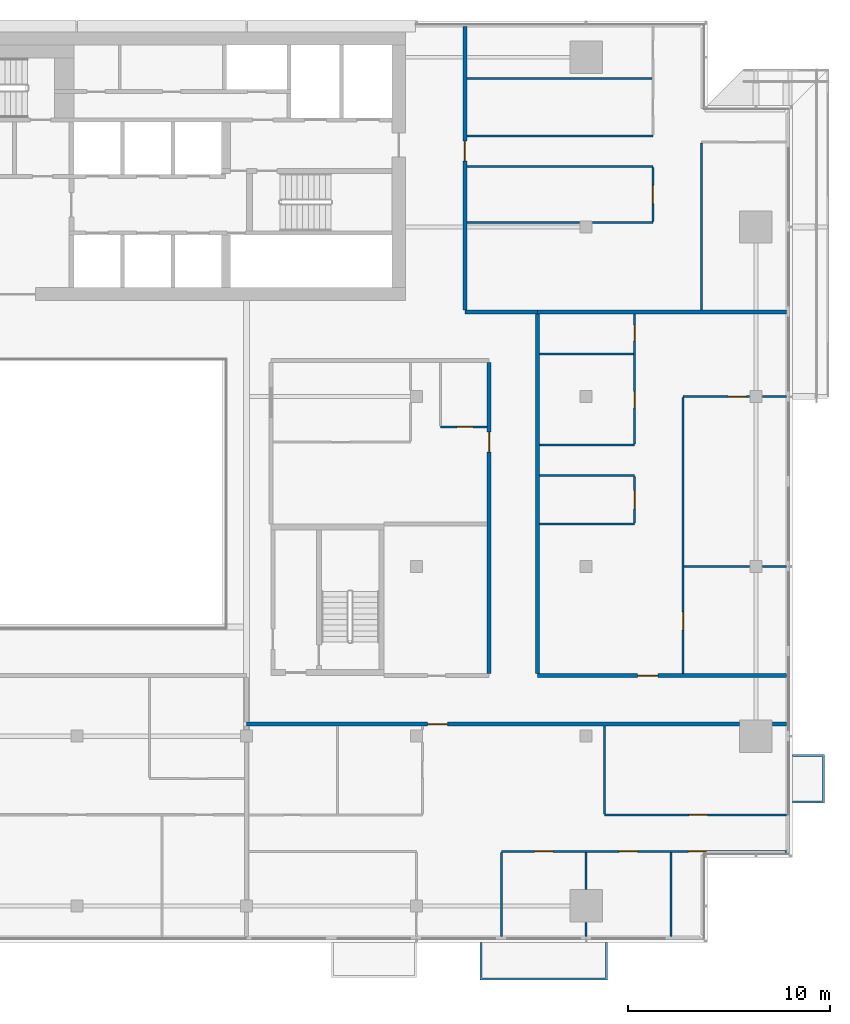
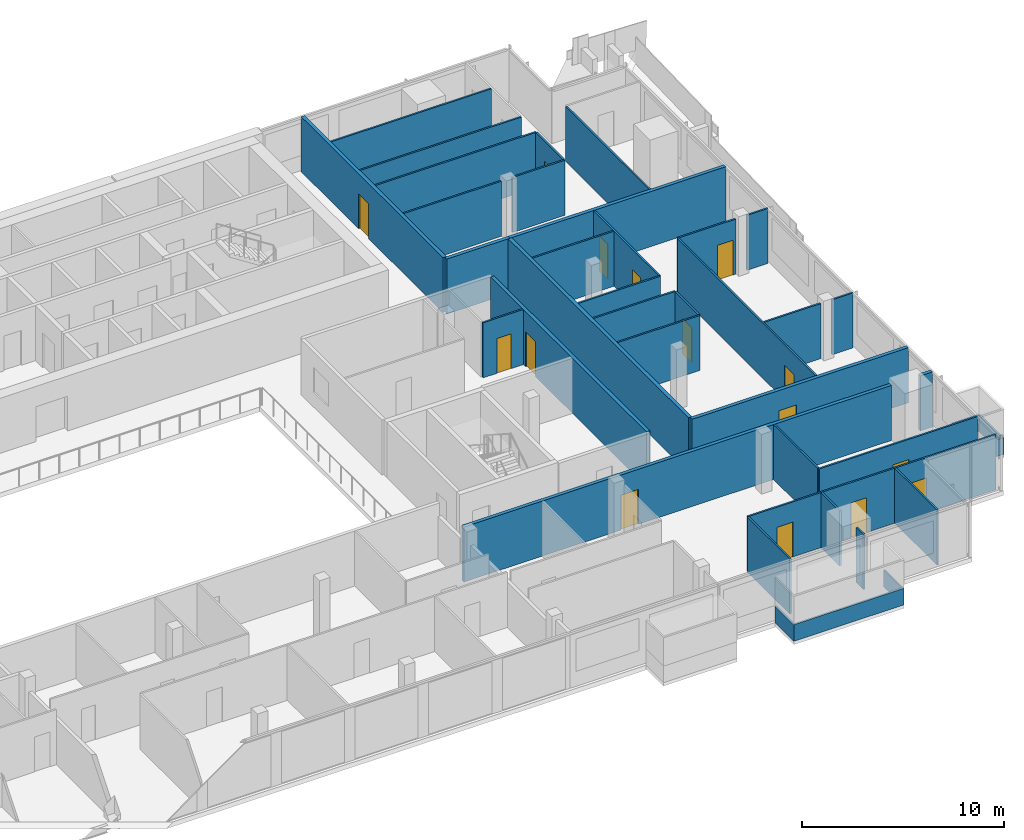
# One storey, part 24 of 30: 36 walls, 15 doors, 15 openings.
"""IFC4 building model written with IfcOpenShell, lengths in metres."""

from ifc_helpers import new_model, si_unit, direction, frame, frame_2d, origin, place, context, subcontext, project, spatial, polyline, rectangle, outline, extrude, material, layer, layer_set, type_object, element, fill, save


model = new_model("IFC4")

# Units and contexts
model_context = context("Model", 3, precision=1e-05, world=origin(), true_north=direction((0.0, 1.0)))
body_context = subcontext(model_context, "Body", "Model", "MODEL_VIEW")
ifc_project = project(units=[si_unit("LENGTHUNIT", "METRE"), si_unit("AREAUNIT", "SQUARE_METRE"), si_unit("VOLUMEUNIT", "CUBIC_METRE"), si_unit("PLANEANGLEUNIT", "RADIAN"), si_unit("MASSUNIT", "GRAM", prefix="KILO")], contexts=[model_context])

# Site, building, storey
site_placement = place(None, origin())
site = spatial("IfcSite", under=ifc_project, at=site_placement, CompositionType="ELEMENT")
building_placement = place(site_placement, origin())
building = spatial("IfcBuilding", under=site, at=building_placement, Name="Saffron Gate Tower", CompositionType="ELEMENT")
storey_placement = place(building_placement, frame((0.0, 0.0, 223.5)))
storey = spatial("IfcBuildingStorey", under=building, at=storey_placement, Name="L54", CompositionType="ELEMENT", Elevation=223.5)

# Wall, openings, doors
ifc_material_1 = material(Name="Plasterboard on steel studs", Category="steel")
ifc_layer_1 = layer(ifc_material_1, 0.10009765625)
ifc_layer_set_1 = layer_set([ifc_layer_1], Name="PW1 Partition 100")
wall_type_1 = type_object("IfcWallType", Name="PW1 Partition 100", PredefinedType="PARTITIONING", material=ifc_layer_set_1)
wall_1_placement = place(storey_placement, frame((126.919921875, 34.5, 0.0), z_axis=(0.0, 0.0, 1.0), x_axis=(-1.0, 0.0, 0.0)))
wall_1 = element("IfcWall", 1, at=wall_1_placement, inside=storey, type_object=wall_type_1, Name="Partition D2-2", PredefinedType="PARTITIONING", context=body_context, shape_type="SweptSolid", body=[
    extrude(rectangle(XDim=14.119873046875, YDim=0.10009765625, at=frame_2d((7.06005859375, 0.0))), origin(), (0.0, 0.0, 1.0), 3.320068359375),
])
opening_1_placement = place(wall_1_placement, frame((3.96630859375, 0.0, 0.0)))
opening_1 = element("IfcOpeningElement", 2, at=opening_1_placement, cuts=wall_1, Name="Opening D2-23", PredefinedType="OPENING", context=body_context, shape_type="SweptSolid", body=[
    extrude(rectangle(XDim=0.89990234375, YDim=2.10009765625, at=frame_2d((0.449951171875, 1.050048828125))), frame((0.0, 0.06005859375, 0.0), z_axis=(0.0, -1.0, 0.0), x_axis=(1.0, 0.0, 0.0)), (0.0, 0.0, 1.0), 0.1201171875),
])
opening_2_placement = place(wall_1_placement, frame((7.3701171875, 0.0, 0.0)))
opening_2 = element("IfcOpeningElement", 3, at=opening_2_placement, cuts=wall_1, Name="Opening D2-22", PredefinedType="OPENING", context=body_context, shape_type="SweptSolid", body=[
    extrude(rectangle(XDim=0.89990234375, YDim=2.10009765625, at=frame_2d((0.449951171875, 1.050048828125))), frame((0.0, 0.06005859375, 0.0), z_axis=(0.0, -1.0, 0.0), x_axis=(1.0, 0.0, 0.0)), (0.0, 0.0, 1.0), 0.1201171875),
])
opening_3_placement = place(wall_1_placement, frame((11.570068359375, 0.0, 0.0)))
opening_3 = element("IfcOpeningElement", 4, at=opening_3_placement, cuts=wall_1, Name="Opening D2-21", PredefinedType="OPENING", context=body_context, shape_type="SweptSolid", body=[
    extrude(rectangle(XDim=0.89990234375, YDim=2.10009765625, at=frame_2d((0.449951171875, 1.050048828125))), frame((0.0, 0.06005859375, 0.0), z_axis=(0.0, -1.0, 0.0), x_axis=(1.0, 0.0, 0.0)), (0.0, 0.0, 1.0), 0.1201171875),
])
ifc_material_2 = material(Name="Timber door set", Category="wood")
door_type_1 = type_object("IfcDoorType", Name="RD1 Room door 900x2100", OperationType="NOTDEFINED", PredefinedType="DOOR", material=ifc_material_2)
door_1_placement = place(opening_1_placement, origin())
door_1 = element("IfcDoor", 5, at=door_1_placement, inside=storey, type_object=door_type_1, Name="Door D2-23", OperationType="SINGLE_SWING_RIGHT", OverallHeight=2.10009765625, OverallWidth=0.89990234375, PredefinedType="DOOR", context=body_context, shape_type="SweptSolid", body=[
    extrude(rectangle(XDim=0.89990234375, YDim=2.10009765625, at=frame_2d((0.449951171875, 1.050048828125))), frame((0.0, 0.02490234375, 0.0), z_axis=(0.0, -1.0, 0.0), x_axis=(1.0, 0.0, 0.0)), (0.0, 0.0, 1.0), 0.050048828125),
])
fill(opening_1, door_1)
door_2_placement = place(opening_2_placement, origin())
door_2 = element("IfcDoor", 6, at=door_2_placement, inside=storey, type_object=door_type_1, Name="Door D2-22", OperationType="SINGLE_SWING_RIGHT", OverallHeight=2.10009765625, OverallWidth=0.89990234375, PredefinedType="DOOR", context=body_context, shape_type="SweptSolid", body=[
    extrude(rectangle(XDim=0.89990234375, YDim=2.10009765625, at=frame_2d((0.449951171875, 1.050048828125))), frame((0.0, 0.02490234375, 0.0), z_axis=(0.0, -1.0, 0.0), x_axis=(1.0, 0.0, 0.0)), (0.0, 0.0, 1.0), 0.050048828125),
])
fill(opening_2, door_2)
door_3_placement = place(opening_3_placement, origin())
door_3 = element("IfcDoor", 7, at=door_3_placement, inside=storey, type_object=door_type_1, Name="Door D2-21", OperationType="SINGLE_SWING_LEFT", OverallHeight=2.10009765625, OverallWidth=0.89990234375, PredefinedType="DOOR", context=body_context, shape_type="SweptSolid", body=[
    extrude(rectangle(XDim=0.89990234375, YDim=2.10009765625, at=frame_2d((0.449951171875, 1.050048828125))), frame((0.0, 0.02490234375, 0.0), z_axis=(0.0, -1.0, 0.0), x_axis=(1.0, 0.0, 0.0)), (0.0, 0.0, 1.0), 0.050048828125),
])
fill(opening_3, door_3)

# Wall, opening, door
wall_2_placement = place(storey_placement, frame((117.89990234375, 36.300048828125, 0.0), z_axis=(0.0, 0.0, 1.0), x_axis=(1.0, 0.0, 0.0)))
wall_2 = element("IfcWall", 8, at=wall_2_placement, inside=storey, type_object=wall_type_1, Name="Partition D2-4", PredefinedType="PARTITIONING", context=body_context, shape_type="SweptSolid", body=[
    extrude(rectangle(XDim=9.02001953125, YDim=0.10009765625, at=frame_2d((4.510009765625, 0.0))), origin(), (0.0, 0.0, 1.0), 3.320068359375),
])
opening_4_placement = place(wall_2_placement, frame((4.199951171875, 0.0, 0.0)))
opening_4 = element("IfcOpeningElement", 9, at=opening_4_placement, cuts=wall_2, Name="Opening D2-24", PredefinedType="OPENING", context=body_context, shape_type="SweptSolid", body=[
    extrude(rectangle(XDim=0.89990234375, YDim=2.10009765625, at=frame_2d((0.449951171875, 1.050048828125))), frame((0.0, 0.06005859375, 0.0), z_axis=(0.0, -1.0, 0.0), x_axis=(1.0, 0.0, 0.0)), (0.0, 0.0, 1.0), 0.1201171875),
])
door_4_placement = place(opening_4_placement, origin())
door_4 = element("IfcDoor", 10, at=door_4_placement, inside=storey, type_object=door_type_1, Name="Door D2-24", OperationType="SINGLE_SWING_RIGHT", OverallHeight=2.10009765625, OverallWidth=0.89990234375, PredefinedType="DOOR", context=body_context, shape_type="SweptSolid", body=[
    extrude(rectangle(XDim=0.89990234375, YDim=2.10009765625, at=frame_2d((0.449951171875, 1.050048828125))), frame((0.0, 0.02490234375, 0.0), z_axis=(0.0, -1.0, 0.0), x_axis=(1.0, 0.0, 0.0)), (0.0, 0.0, 1.0), 0.050048828125),
])
fill(opening_4, door_4)

# Walls
wall_3_placement = place(storey_placement, frame((121.85009765625, 48.60009765625, 0.0), z_axis=(0.0, 0.0, 1.0), x_axis=(1.0, 0.0, 0.0)))
element("IfcWall", 11, at=wall_3_placement, inside=storey, type_object=wall_type_1, Name="Partition D2-21", PredefinedType="PARTITIONING", context=body_context, shape_type="SweptSolid", body=[
    extrude(rectangle(XDim=3.22998046875, YDim=0.10009765625, at=frame_2d((1.614990234375, 0.0))), origin(), (0.0, 0.0, 1.0), 3.320068359375),
])
wall_4_placement = place(storey_placement, frame((125.719970703125, 48.60009765625, 0.0), z_axis=(0.0, 0.0, 1.0), x_axis=(1.0, 0.0, 0.0)))
element("IfcWall", 12, at=wall_4_placement, inside=storey, type_object=wall_type_1, Name="Partition D2-22", PredefinedType="PARTITIONING", context=body_context, shape_type="SweptSolid", body=[
    extrude(rectangle(XDim=1.199951171875, YDim=0.10009765625, at=frame_2d((0.60009765625, 0.0))), origin(), (0.0, 0.0, 1.0), 3.320068359375),
])
for number, where, z_axis, x_axis, name in (
    (13, (114.699951171875, 50.699951171875, 0.0), (0.0, 0.0, 1.0), (1.0, 0.0, 0.0), "Partition D2-26"),
    (14, (114.699951171875, 53.10009765625, 0.0), (0.0, 0.0, 1.0), (1.0, 0.0, 0.0), "Partition D2-28"),
    (15, (114.699951171875, 54.60009765625, 0.0), (0.0, 0.0, 1.0), (1.0, 0.0, 0.0), "Partition D2-29"),
):
    element("IfcWall", number, at=place(storey_placement, frame(where, z_axis=z_axis, x_axis=x_axis)), inside=storey, type_object=wall_type_1, Name=name, PredefinedType="PARTITIONING", context=body_context, shape_type="SweptSolid", body=[
        extrude(rectangle(XDim=4.699951171875, YDim=0.10009765625, at=frame_2d((2.35009765625, 0.0))), origin(), (0.0, 0.0, 1.0), 3.320068359375),
    ])

# Wall, opening, door
wall_5_placement = place(storey_placement, frame((109.800048828125, 55.5, 0.0), z_axis=(0.0, 0.0, 1.0), x_axis=(1.0, 0.0, 0.0)))
wall_5 = element("IfcWall", 16, at=wall_5_placement, inside=storey, type_object=wall_type_1, Name="Partition D2-33", PredefinedType="PARTITIONING", context=body_context, shape_type="SweptSolid", body=[
    extrude(rectangle(XDim=2.300048828125, YDim=0.10009765625, at=frame_2d((1.14990234375, 0.0))), origin(), (0.0, 0.0, 1.0), 3.320068359375),
])
opening_5_placement = place(wall_5_placement, frame((0.800048828125, 0.0, 0.0)))
opening_5 = element("IfcOpeningElement", 17, at=opening_5_placement, cuts=wall_5, Name="Opening D2-53", PredefinedType="OPENING", context=body_context, shape_type="SweptSolid", body=[
    extrude(rectangle(XDim=0.800048828125, YDim=2.10009765625, at=frame_2d((0.39990234375, 1.050048828125))), frame((0.0, 0.06005859375, 0.0), z_axis=(0.0, -1.0, 0.0), x_axis=(1.0, 0.0, 0.0)), (0.0, 0.0, 1.0), 0.1201171875),
])
door_type_2 = type_object("IfcDoorType", Name="RD2 Bathroom door 800x2100", OperationType="NOTDEFINED", PredefinedType="DOOR", material=ifc_material_2)
door_5_placement = place(opening_5_placement, origin())
door_5 = element("IfcDoor", 18, at=door_5_placement, inside=storey, type_object=door_type_2, Name="Door D2-53", OperationType="SINGLE_SWING_RIGHT", OverallHeight=2.10009765625, OverallWidth=0.800048828125, PredefinedType="DOOR", context=body_context, shape_type="SweptSolid", body=[
    extrude(rectangle(XDim=0.800048828125, YDim=2.10009765625, at=frame_2d((0.39990234375, 1.050048828125))), frame((0.0, 0.02490234375, 0.0), z_axis=(0.0, -1.0, 0.0), x_axis=(1.0, 0.0, 0.0)), (0.0, 0.0, 1.0), 0.050048828125),
])
fill(opening_5, door_5)

wall_6_placement = place(storey_placement, frame((125.080078125, 57.0, 0.0), z_axis=(0.0, 0.0, 1.0), x_axis=(-1.0, 0.0, 0.0)))
wall_6 = element("IfcWall", 19, at=wall_6_placement, inside=storey, type_object=wall_type_1, Name="Partition D2-34", PredefinedType="PARTITIONING", context=body_context, shape_type="SweptSolid", body=[
    extrude(rectangle(XDim=3.280029296875, YDim=0.10009765625, at=frame_2d((1.64013671875, 0.0))), origin(), (0.0, 0.0, 1.0), 3.320068359375),
])
opening_6_placement = place(wall_6_placement, frame((0.14990234375, 0.0, 0.0)))
opening_6 = element("IfcOpeningElement", 20, at=opening_6_placement, cuts=wall_6, Name="Opening D2-32", PredefinedType="OPENING", context=body_context, shape_type="SweptSolid", body=[
    extrude(rectangle(XDim=0.89990234375, YDim=2.10009765625, at=frame_2d((0.449951171875, 1.050048828125))), frame((0.0, 0.06005859375, 0.0), z_axis=(0.0, -1.0, 0.0), x_axis=(1.0, 0.0, 0.0)), (0.0, 0.0, 1.0), 0.1201171875),
])
door_6_placement = place(opening_6_placement, origin())
door_6 = element("IfcDoor", 21, at=door_6_placement, inside=storey, type_object=door_type_1, Name="Door D2-32", OperationType="SINGLE_SWING_LEFT", OverallHeight=2.10009765625, OverallWidth=0.89990234375, PredefinedType="DOOR", context=body_context, shape_type="SweptSolid", body=[
    extrude(rectangle(XDim=0.89990234375, YDim=2.10009765625, at=frame_2d((0.449951171875, 1.050048828125))), frame((0.0, 0.02490234375, 0.0), z_axis=(0.0, -1.0, 0.0), x_axis=(1.0, 0.0, 0.0)), (0.0, 0.0, 1.0), 0.050048828125),
])
fill(opening_6, door_6)

# Walls
wall_7_placement = place(storey_placement, frame((125.719970703125, 57.0, 0.0), z_axis=(0.0, 0.0, 1.0), x_axis=(1.0, 0.0, 0.0)))
element("IfcWall", 22, at=wall_7_placement, inside=storey, type_object=wall_type_1, Name="Partition D2-35", PredefinedType="PARTITIONING", context=body_context, shape_type="SweptSolid", body=[
    extrude(rectangle(XDim=1.199951171875, YDim=0.10009765625, at=frame_2d((0.60009765625, 0.0))), origin(), (0.0, 0.0, 1.0), 3.320068359375),
])
wall_8_placement = place(storey_placement, frame((114.699951171875, 59.10009765625, 0.0), z_axis=(0.0, 0.0, 1.0), x_axis=(1.0, 0.0, 0.0)))
element("IfcWall", 23, at=wall_8_placement, inside=storey, type_object=wall_type_1, Name="Partition D2-39", PredefinedType="PARTITIONING", context=body_context, shape_type="SweptSolid", body=[
    extrude(rectangle(XDim=4.650146484375, YDim=0.10009765625, at=frame_2d((2.3251953125, 0.0))), origin(), (0.0, 0.0, 1.0), 3.320068359375),
])
wall_9_placement = place(storey_placement, frame((111.10009765625, 65.608642578125, 0.0), z_axis=(0.0, 0.0, 1.0), x_axis=(1.0, 0.0, 0.0)))
element("IfcWall", 24, at=wall_9_placement, inside=storey, type_object=wall_type_1, Name="Partition D2-46", PredefinedType="PARTITIONING", context=body_context, shape_type="SweptSolid", body=[
    extrude(rectangle(XDim=5.579833984375, YDim=0.10009765625, at=frame_2d((2.7900390625, 0.0))), origin(), (0.0, 0.0, 1.0), 3.320068359375),
])
wall_10_placement = place(storey_placement, frame((117.320068359375, 65.608642578125, 0.0), z_axis=(0.0, 0.0, 1.0), x_axis=(1.0, 0.0, 0.0)))
element("IfcWall", 25, at=wall_10_placement, inside=storey, type_object=wall_type_1, Name="Partition D2-47", PredefinedType="PARTITIONING", context=body_context, shape_type="SweptSolid", body=[
    extrude(rectangle(XDim=2.97998046875, YDim=0.10009765625, at=frame_2d((1.489990234375, 0.0))), origin(), (0.0, 0.0, 1.0), 3.320068359375),
])
for number, where, z_axis, x_axis, name in (
    (26, (111.10009765625, 68.39990234375, 0.0), (0.0, 0.0, 1.0), (1.0, 0.0, 0.0), "Partition D2-49"),
    (27, (111.10009765625, 69.89990234375, 0.0), (0.0, 0.0, 1.0), (1.0, 0.0, 0.0), "Partition D2-53"),
):
    element("IfcWall", number, at=place(storey_placement, frame(where, z_axis=z_axis, x_axis=x_axis)), inside=storey, type_object=wall_type_1, Name=name, PredefinedType="PARTITIONING", context=body_context, shape_type="SweptSolid", body=[
        extrude(rectangle(XDim=9.199951171875, YDim=0.10009765625, at=frame_2d((4.60009765625, 0.0))), origin(), (0.0, 0.0, 1.0), 3.320068359375),
    ])
wall_11_placement = place(storey_placement, frame((111.10009765625, 72.74951171875, 0.0), z_axis=(0.0, 0.0, 1.0), x_axis=(1.0, 0.0, 0.0)))
element("IfcWall", 28, at=wall_11_placement, inside=storey, type_object=wall_type_1, Name="Partition D2-55", PredefinedType="PARTITIONING", context=body_context, shape_type="SweptSolid", body=[
    extrude(rectangle(XDim=9.14990234375, YDim=0.10009765625, at=frame_2d((4.574951171875, 0.0))), origin(), (0.0, 0.0, 1.0), 3.320068359375),
])
wall_12_placement = place(storey_placement, frame((112.800048828125, 34.449951171875, 0.0), z_axis=(0.0, 0.0, 1.0), x_axis=(0.0, -1.0, 0.0)))
element("IfcWall", 29, at=wall_12_placement, inside=storey, type_object=wall_type_1, Name="Partition D2-105", PredefinedType="PARTITIONING", context=body_context, shape_type="SweptSolid", body=[
    extrude(rectangle(XDim=4.169921875, YDim=0.10009765625, at=frame_2d((2.0849609375, 0.0))), origin(), (0.0, 0.0, 1.0), 3.320068359375),
])
wall_13_placement = place(storey_placement, frame((117.0, 30.97998046875, 0.0), z_axis=(0.0, 0.0, 1.0), x_axis=(0.0, -1.0, 0.0)))
element("IfcWall", 30, at=wall_13_placement, inside=storey, type_object=wall_type_1, Name="Partition D2-107", PredefinedType="PARTITIONING", context=body_context, shape_type="SweptSolid", body=[
    extrude(rectangle(XDim=0.699951171875, YDim=0.10009765625, at=frame_2d((0.35009765625, 0.0))), origin(), (0.0, 0.0, 1.0), 3.320068359375),
])
wall_14_placement = place(storey_placement, frame((117.0, 34.449951171875, 0.0), z_axis=(0.0, 0.0, 1.0), x_axis=(0.0, -1.0, 0.0)))
element("IfcWall", 31, at=wall_14_placement, inside=storey, type_object=wall_type_1, Name="Partition D2-108", PredefinedType="PARTITIONING", context=body_context, shape_type="SweptSolid", body=[
    extrude(rectangle(XDim=1.829833984375, YDim=0.10009765625, at=frame_2d((0.9150390625, 0.0))), origin(), (0.0, 0.0, 1.0), 3.320068359375),
])
wall_15_placement = place(storey_placement, frame((117.89990234375, 40.699951171875, 0.0), z_axis=(0.0, 0.0, 1.0), x_axis=(0.0, -1.0, 0.0)))
element("IfcWall", 32, at=wall_15_placement, inside=storey, type_object=wall_type_1, Name="Partition D2-109", PredefinedType="PARTITIONING", context=body_context, shape_type="SweptSolid", body=[
    extrude(rectangle(XDim=4.349853515625, YDim=0.10009765625, at=frame_2d((2.1748046875, 0.0))), origin(), (0.0, 0.0, 1.0), 3.320068359375),
])

# Wall, opening, door
wall_16_placement = place(storey_placement, frame((119.39990234375, 50.75, 0.0), z_axis=(0.0, 0.0, 1.0), x_axis=(0.0, 1.0, 0.0)))
wall_16 = element("IfcWall", 33, at=wall_16_placement, inside=storey, type_object=wall_type_1, Name="Partition D2-110", PredefinedType="PARTITIONING", context=body_context, shape_type="SweptSolid", body=[
    extrude(rectangle(XDim=2.300048828125, YDim=0.10009765625, at=frame_2d((1.14990234375, 0.0))), origin(), (0.0, 0.0, 1.0), 3.320068359375),
])
opening_7_placement = place(wall_16_placement, frame((0.699951171875, 0.0, 0.0)))
opening_7 = element("IfcOpeningElement", 34, at=opening_7_placement, cuts=wall_16, Name="Opening D2-33", PredefinedType="OPENING", context=body_context, shape_type="SweptSolid", body=[
    extrude(rectangle(XDim=0.89990234375, YDim=2.10009765625, at=frame_2d((0.449951171875, 1.050048828125))), frame((0.0, 0.06005859375, 0.0), z_axis=(0.0, -1.0, 0.0), x_axis=(1.0, 0.0, 0.0)), (0.0, 0.0, 1.0), 0.1201171875),
])
door_7_placement = place(opening_7_placement, origin())
door_7 = element("IfcDoor", 35, at=door_7_placement, inside=storey, type_object=door_type_1, Name="Door D2-33", OperationType="SINGLE_SWING_LEFT", OverallHeight=2.10009765625, OverallWidth=0.89990234375, PredefinedType="DOOR", context=body_context, shape_type="SweptSolid", body=[
    extrude(rectangle(XDim=0.89990234375, YDim=2.10009765625, at=frame_2d((0.449951171875, 1.050048828125))), frame((0.0, 0.02490234375, 0.0), z_axis=(0.0, -1.0, 0.0), x_axis=(1.0, 0.0, 0.0)), (0.0, 0.0, 1.0), 0.050048828125),
])
fill(opening_7, door_7)

# Wall, openings, doors
wall_17_placement = place(storey_placement, frame((119.39990234375, 54.64990234375, 0.0), z_axis=(0.0, 0.0, 1.0), x_axis=(0.0, 1.0, 0.0)))
wall_17 = element("IfcWall", 36, at=wall_17_placement, inside=storey, type_object=wall_type_1, Name="Partition D2-111", PredefinedType="PARTITIONING", context=body_context, shape_type="SweptSolid", body=[
    extrude(rectangle(XDim=6.4501953125, YDim=0.10009765625, at=frame_2d((3.22509765625, 0.0))), origin(), (0.0, 0.0, 1.0), 3.320068359375),
])
opening_8_placement = place(wall_17_placement, frame((1.800048828125, 0.0, 0.0)))
opening_8 = element("IfcOpeningElement", 37, at=opening_8_placement, cuts=wall_17, Name="Opening D2-49", PredefinedType="OPENING", context=body_context, shape_type="SweptSolid", body=[
    extrude(rectangle(XDim=0.800048828125, YDim=2.10009765625, at=frame_2d((0.39990234375, 1.050048828125))), frame((0.0, 0.06005859375, 0.0), z_axis=(0.0, -1.0, 0.0), x_axis=(1.0, 0.0, 0.0)), (0.0, 0.0, 1.0), 0.1201171875),
])
opening_9_placement = place(wall_17_placement, frame((5.10009765625, 0.0, 0.0)))
opening_9 = element("IfcOpeningElement", 38, at=opening_9_placement, cuts=wall_17, Name="Opening D2-50", PredefinedType="OPENING", context=body_context, shape_type="SweptSolid", body=[
    extrude(rectangle(XDim=0.800048828125, YDim=2.10009765625, at=frame_2d((0.39990234375, 1.050048828125))), frame((0.0, 0.06005859375, 0.0), z_axis=(0.0, -1.0, 0.0), x_axis=(1.0, 0.0, 0.0)), (0.0, 0.0, 1.0), 0.1201171875),
])
door_8_placement = place(opening_8_placement, origin())
door_8 = element("IfcDoor", 39, at=door_8_placement, inside=storey, type_object=door_type_2, Name="Door D2-49", OperationType="SINGLE_SWING_LEFT", OverallHeight=2.10009765625, OverallWidth=0.800048828125, PredefinedType="DOOR", context=body_context, shape_type="SweptSolid", body=[
    extrude(rectangle(XDim=0.800048828125, YDim=2.10009765625, at=frame_2d((0.39990234375, 1.050048828125))), frame((0.0, 0.02490234375, 0.0), z_axis=(0.0, -1.0, 0.0), x_axis=(1.0, 0.0, 0.0)), (0.0, 0.0, 1.0), 0.050048828125),
])
fill(opening_8, door_8)
door_9_placement = place(opening_9_placement, origin())
door_9 = element("IfcDoor", 40, at=door_9_placement, inside=storey, type_object=door_type_2, Name="Door D2-50", OperationType="SINGLE_SWING_RIGHT", OverallHeight=2.10009765625, OverallWidth=0.800048828125, PredefinedType="DOOR", context=body_context, shape_type="SweptSolid", body=[
    extrude(rectangle(XDim=0.800048828125, YDim=2.10009765625, at=frame_2d((0.39990234375, 1.050048828125))), frame((0.0, 0.02490234375, 0.0), z_axis=(0.0, -1.0, 0.0), x_axis=(1.0, 0.0, 0.0)), (0.0, 0.0, 1.0), 0.050048828125),
])
fill(opening_9, door_9)

# Wall, opening, door
wall_18_placement = place(storey_placement, frame((120.300048828125, 65.65869140625, 0.0), z_axis=(0.0, 0.0, 1.0), x_axis=(0.0, 1.0, 0.0)))
wall_18 = element("IfcWall", 41, at=wall_18_placement, inside=storey, type_object=wall_type_1, Name="Partition D2-112", PredefinedType="PARTITIONING", context=body_context, shape_type="SweptSolid", body=[
    extrude(rectangle(XDim=2.69140625, YDim=0.10009765625, at=frame_2d((1.345703125, 0.0))), origin(), (0.0, 0.0, 1.0), 3.320068359375),
])
opening_10_placement = place(wall_18_placement, frame((0.895751953125, 0.0, 0.0)))
opening_10 = element("IfcOpeningElement", 42, at=opening_10_placement, cuts=wall_18, Name="Opening D2-35", PredefinedType="OPENING", context=body_context, shape_type="SweptSolid", body=[
    extrude(rectangle(XDim=0.89990234375, YDim=2.10009765625, at=frame_2d((0.449951171875, 1.050048828125))), frame((0.0, 0.06005859375, 0.0), z_axis=(0.0, -1.0, 0.0), x_axis=(1.0, 0.0, 0.0)), (0.0, 0.0, 1.0), 0.1201171875),
])
door_10_placement = place(opening_10_placement, origin())
door_10 = element("IfcDoor", 43, at=door_10_placement, inside=storey, type_object=door_type_1, Name="Door D2-35", OperationType="SINGLE_SWING_LEFT", OverallHeight=2.10009765625, OverallWidth=0.89990234375, PredefinedType="DOOR", context=body_context, shape_type="SweptSolid", body=[
    extrude(rectangle(XDim=0.89990234375, YDim=2.10009765625, at=frame_2d((0.449951171875, 1.050048828125))), frame((0.0, 0.02490234375, 0.0), z_axis=(0.0, -1.0, 0.0), x_axis=(1.0, 0.0, 0.0)), (0.0, 0.0, 1.0), 0.050048828125),
])
fill(opening_10, door_10)

# Wall
wall_19_placement = place(storey_placement, frame((121.199951171875, 34.449951171875, 0.0), z_axis=(0.0, 0.0, 1.0), x_axis=(0.0, -1.0, 0.0)))
element("IfcWall", 44, at=wall_19_placement, inside=storey, type_object=wall_type_1, Name="Partition D2-114", PredefinedType="PARTITIONING", context=body_context, shape_type="SweptSolid", body=[
    extrude(rectangle(XDim=4.169921875, YDim=0.10009765625, at=frame_2d((2.0849609375, 0.0))), origin(), (0.0, 0.0, 1.0), 3.320068359375),
])

# Wall, opening, door
wall_20_placement = place(storey_placement, frame((121.800048828125, 56.949951171875, 0.0), z_axis=(0.0, 0.0, 1.0), x_axis=(0.0, -1.0, 0.0)))
wall_20 = element("IfcWall", 45, at=wall_20_placement, inside=storey, type_object=wall_type_1, Name="Partition D2-115", PredefinedType="PARTITIONING", context=body_context, shape_type="SweptSolid", body=[
    extrude(rectangle(XDim=13.64990234375, YDim=0.10009765625, at=frame_2d((6.824951171875, 0.0))), origin(), (0.0, 0.0, 1.0), 3.320068359375),
])
opening_11_placement = place(wall_20_placement, frame((10.60009765625, 0.0, 0.0)))
opening_11 = element("IfcOpeningElement", 46, at=opening_11_placement, cuts=wall_20, Name="Opening D2-31", PredefinedType="OPENING", context=body_context, shape_type="SweptSolid", body=[
    extrude(rectangle(XDim=0.89990234375, YDim=2.10009765625, at=frame_2d((0.449951171875, 1.050048828125))), frame((0.0, 0.06005859375, 0.0), z_axis=(0.0, -1.0, 0.0), x_axis=(1.0, 0.0, 0.0)), (0.0, 0.0, 1.0), 0.1201171875),
])
door_11_placement = place(opening_11_placement, origin())
door_11 = element("IfcDoor", 47, at=door_11_placement, inside=storey, type_object=door_type_1, Name="Door D2-31", OperationType="SINGLE_SWING_RIGHT", OverallHeight=2.10009765625, OverallWidth=0.89990234375, PredefinedType="DOOR", context=body_context, shape_type="SweptSolid", body=[
    extrude(rectangle(XDim=0.89990234375, YDim=2.10009765625, at=frame_2d((0.449951171875, 1.050048828125))), frame((0.0, 0.02490234375, 0.0), z_axis=(0.0, -1.0, 0.0), x_axis=(1.0, 0.0, 0.0)), (0.0, 0.0, 1.0), 0.050048828125),
])
fill(opening_11, door_11)

# Walls
wall_21_placement = place(storey_placement, frame((122.699951171875, 69.550048828125, 0.0), z_axis=(0.0, 0.0, 1.0), x_axis=(0.0, -1.0, 0.0)))
element("IfcWall", 48, at=wall_21_placement, inside=storey, type_object=wall_type_1, Name="Partition D2-116", PredefinedType="PARTITIONING", context=body_context, shape_type="SweptSolid", body=[
    extrude(rectangle(XDim=8.25, YDim=0.10009765625, at=frame_2d((4.125, 0.0))), origin(), (0.0, 0.0, 1.0), 3.320068359375),
])
ifc_material_3 = material(Name="Clay brick masonry, rendered", Category="masonry")
ifc_layer_2 = layer(ifc_material_3, 0.199951171875)
ifc_layer_set_2 = layer_set([ifc_layer_2], Name="PW2 Demising wall 200")
wall_type_2 = type_object("IfcWallType", Name="PW2 Demising wall 200", PredefinedType="PARTITIONING", material=ifc_layer_set_2)
wall_22_placement = place(storey_placement, frame((114.60009765625, 61.199951171875, 0.0), z_axis=(0.0, 0.0, 1.0), x_axis=(1.0, 0.0, 0.0)))
element("IfcWall", 49, at=wall_22_placement, inside=storey, type_object=wall_type_2, Name="Wall D2-43", PredefinedType="PARTITIONING", context=body_context, shape_type="SweptSolid", body=[
    extrude(rectangle(XDim=12.31982421875, YDim=0.199951171875, at=frame_2d((6.159912109375, 0.0))), origin(), (0.0, 0.0, 1.0), 3.320068359375),
])

# Wall, opening, door
ifc_layer_3 = layer(ifc_material_3, 0.199951171875)
ifc_layer_set_3 = layer_set([ifc_layer_3], Name="PW3 Corridor wall 200")
wall_type_3 = type_object("IfcWallType", Name="PW3 Corridor wall 200", PredefinedType="PARTITIONING", material=ifc_layer_set_3)
wall_23_placement = place(storey_placement, frame((124.580078125, 40.800048828125, 0.0), z_axis=(0.0, 0.0, 1.0), x_axis=(-1.0, 0.0, 0.0)))
wall_23 = element("IfcWall", 50, at=wall_23_placement, inside=storey, type_object=wall_type_3, Name="Wall D2-11", PredefinedType="PARTITIONING", context=body_context, shape_type="SweptSolid", body=[
    extrude(rectangle(XDim=24.380126953125, YDim=0.199951171875, at=frame_2d((12.18994140625, 0.0))), origin(), (0.0, 0.0, 1.0), 3.320068359375),
])
opening_12_placement = place(wall_23_placement, frame((14.429931640625, 0.0, 0.0)))
opening_12 = element("IfcOpeningElement", 51, at=opening_12_placement, cuts=wall_23, Name="Opening D2-3", PredefinedType="OPENING", context=body_context, shape_type="SweptSolid", body=[
    extrude(rectangle(XDim=1.0, YDim=2.10009765625, at=frame_2d((0.5, 1.050048828125))), frame((0.0, 0.10986328125, 0.0), z_axis=(0.0, -1.0, 0.0), x_axis=(1.0, 0.0, 0.0)), (0.0, 0.0, 1.0), 0.219970703125),
])
ifc_material_4 = material(Name="Timber fire door set", Category="wood")
door_type_3 = type_object("IfcDoorType", Name="FD1 Flat entry door 1000x2100", OperationType="NOTDEFINED", PredefinedType="DOOR", material=ifc_material_4)
door_12_placement = place(opening_12_placement, origin())
door_12 = element("IfcDoor", 52, at=door_12_placement, inside=storey, type_object=door_type_3, Name="Door D2-3", OperationType="SINGLE_SWING_RIGHT", OverallHeight=2.10009765625, OverallWidth=1.0, PredefinedType="DOOR", context=body_context, shape_type="SweptSolid", body=[
    extrude(rectangle(XDim=1.0, YDim=2.10009765625, at=frame_2d((0.5, 1.050048828125))), frame((0.0, 0.02490234375, 0.0), z_axis=(0.0, -1.0, 0.0), x_axis=(1.0, 0.0, 0.0)), (0.0, 0.0, 1.0), 0.050048828125),
])
fill(opening_12, door_12)

# Wall
wall_24_placement = place(storey_placement, frame((126.219970703125, 40.800048828125, 0.0), z_axis=(0.0, 0.0, 1.0), x_axis=(1.0, 0.0, 0.0)))
element("IfcWall", 53, at=wall_24_placement, inside=storey, type_object=wall_type_3, Name="Wall D2-12", PredefinedType="PARTITIONING", context=body_context, shape_type="SweptSolid", body=[
    extrude(rectangle(XDim=0.699951171875, YDim=0.199951171875, at=frame_2d((0.35009765625, 0.0))), origin(), (0.0, 0.0, 1.0), 3.320068359375),
])

# Wall, opening, door
wall_25_placement = place(storey_placement, frame((114.60009765625, 43.199951171875, 0.0), z_axis=(0.0, 0.0, 1.0), x_axis=(1.0, 0.0, 0.0)))
wall_25 = element("IfcWall", 54, at=wall_25_placement, inside=storey, type_object=wall_type_3, Name="Wall D2-17", PredefinedType="PARTITIONING", context=body_context, shape_type="SweptSolid", body=[
    extrude(rectangle(XDim=12.31982421875, YDim=0.199951171875, at=frame_2d((6.159912109375, 0.0))), origin(), (0.0, 0.0, 1.0), 3.320068359375),
])
opening_13_placement = place(wall_25_placement, frame((4.949951171875, 0.0, 0.0)))
opening_13 = element("IfcOpeningElement", 55, at=opening_13_placement, cuts=wall_25, Name="Opening D2-6", PredefinedType="OPENING", context=body_context, shape_type="SweptSolid", body=[
    extrude(rectangle(XDim=1.0, YDim=2.10009765625, at=frame_2d((0.5, 1.050048828125))), frame((0.0, 0.10986328125, 0.0), z_axis=(0.0, -1.0, 0.0), x_axis=(1.0, 0.0, 0.0)), (0.0, 0.0, 1.0), 0.219970703125),
])
door_13_placement = place(opening_13_placement, origin())
door_13 = element("IfcDoor", 56, at=door_13_placement, inside=storey, type_object=door_type_3, Name="Door D2-6", OperationType="SINGLE_SWING_LEFT", OverallHeight=2.10009765625, OverallWidth=1.0, PredefinedType="DOOR", context=body_context, shape_type="SweptSolid", body=[
    extrude(rectangle(XDim=1.0, YDim=2.10009765625, at=frame_2d((0.5, 1.050048828125))), frame((0.0, 0.02490234375, 0.0), z_axis=(0.0, -1.0, 0.0), x_axis=(1.0, 0.0, 0.0)), (0.0, 0.0, 1.0), 0.050048828125),
])
fill(opening_13, door_13)

# Wall
wall_26_placement = place(storey_placement, frame((111.0, 61.199951171875, 0.0), z_axis=(0.0, 0.0, 1.0), x_axis=(1.0, 0.0, 0.0)))
element("IfcWall", 57, at=wall_26_placement, inside=storey, type_object=wall_type_3, Name="Wall D2-41", PredefinedType="PARTITIONING", context=body_context, shape_type="SweptSolid", body=[
    extrude(rectangle(XDim=3.60009765625, YDim=0.199951171875, at=frame_2d((1.800048828125, 0.0))), origin(), (0.0, 0.0, 1.0), 3.320068359375),
])

# Wall, opening, door
wall_27_placement = place(storey_placement, frame((111.0, 75.320068359375, 0.0), z_axis=(0.0, 0.0, 1.0), x_axis=(0.0, -1.0, 0.0)))
wall_27 = element("IfcWall", 58, at=wall_27_placement, inside=storey, type_object=wall_type_3, Name="Wall D2-103", PredefinedType="PARTITIONING", context=body_context, shape_type="SweptSolid", body=[
    extrude(rectangle(XDim=14.02001953125, YDim=0.199951171875, at=frame_2d((7.010009765625, 0.0))), origin(), (0.0, 0.0, 1.0), 3.320068359375),
])
opening_14_placement = place(wall_27_placement, frame((5.669921875, 0.0, 0.0)))
opening_14 = element("IfcOpeningElement", 59, at=opening_14_placement, cuts=wall_27, Name="Opening D2-7", PredefinedType="OPENING", context=body_context, shape_type="SweptSolid", body=[
    extrude(rectangle(XDim=1.0, YDim=2.10009765625, at=frame_2d((0.5, 1.050048828125))), frame((0.0, 0.10986328125, 0.0), z_axis=(0.0, -1.0, 0.0), x_axis=(1.0, 0.0, 0.0)), (0.0, 0.0, 1.0), 0.219970703125),
])
door_14_placement = place(opening_14_placement, origin())
door_14 = element("IfcDoor", 60, at=door_14_placement, inside=storey, type_object=door_type_3, Name="Door D2-7", OperationType="SINGLE_SWING_RIGHT", OverallHeight=2.10009765625, OverallWidth=1.0, PredefinedType="DOOR", context=body_context, shape_type="SweptSolid", body=[
    extrude(rectangle(XDim=1.0, YDim=2.10009765625, at=frame_2d((0.5, 1.050048828125))), frame((0.0, 0.02490234375, 0.0), z_axis=(0.0, -1.0, 0.0), x_axis=(1.0, 0.0, 0.0)), (0.0, 0.0, 1.0), 0.050048828125),
])
fill(opening_14, door_14)

wall_28_placement = place(storey_placement, frame((112.199951171875, 43.300048828125, 0.0), z_axis=(0.0, 0.0, 1.0), x_axis=(0.0, 1.0, 0.0)))
wall_28 = element("IfcWall", 61, at=wall_28_placement, inside=storey, type_object=wall_type_3, Name="Wall D2-104", PredefinedType="PARTITIONING", context=body_context, shape_type="SweptSolid", body=[
    extrude(rectangle(XDim=15.39990234375, YDim=0.199951171875, at=frame_2d((7.699951171875, 0.0))), origin(), (0.0, 0.0, 1.0), 3.320068359375),
])
opening_15_placement = place(wall_28_placement, frame((10.949951171875, 0.0, 0.0)))
opening_15 = element("IfcOpeningElement", 62, at=opening_15_placement, cuts=wall_28, Name="Opening D2-9", PredefinedType="OPENING", context=body_context, shape_type="SweptSolid", body=[
    extrude(rectangle(XDim=1.0, YDim=2.10009765625, at=frame_2d((0.5, 1.050048828125))), frame((0.0, 0.10986328125, 0.0), z_axis=(0.0, -1.0, 0.0), x_axis=(1.0, 0.0, 0.0)), (0.0, 0.0, 1.0), 0.219970703125),
])
door_15_placement = place(opening_15_placement, origin())
door_15 = element("IfcDoor", 63, at=door_15_placement, inside=storey, type_object=door_type_3, Name="Door D2-9", OperationType="SINGLE_SWING_RIGHT", OverallHeight=2.10009765625, OverallWidth=1.0, PredefinedType="DOOR", context=body_context, shape_type="SweptSolid", body=[
    extrude(rectangle(XDim=1.0, YDim=2.10009765625, at=frame_2d((0.5, 1.050048828125))), frame((0.0, 0.02490234375, 0.0), z_axis=(0.0, -1.0, 0.0), x_axis=(1.0, 0.0, 0.0)), (0.0, 0.0, 1.0), 0.050048828125),
])
fill(opening_15, door_15)

# Walls
wall_29_placement = place(storey_placement, frame((114.60009765625, 61.10009765625, 0.0), z_axis=(0.0, 0.0, 1.0), x_axis=(0.0, -1.0, 0.0)))
element("IfcWall", 64, at=wall_29_placement, inside=storey, type_object=wall_type_3, Name="Wall D2-106", PredefinedType="PARTITIONING", context=body_context, shape_type="SweptSolid", body=[
    extrude(rectangle(XDim=17.800048828125, YDim=0.199951171875, at=frame_2d((8.89990234375, 0.0))), origin(), (0.0, 0.0, 1.0), 3.320068359375),
])
ifc_material_5 = material(Name="Rendered insulated panel, white")
ifc_layer_4 = layer(ifc_material_5, 0.10009765625)
ifc_layer_set_4 = layer_set([ifc_layer_4], Name="WB3 box parapet white")
wall_type_4 = type_object("IfcWallType", Name="WB3 box parapet white", PredefinedType="SOLIDWALL", material=ifc_layer_set_4)
wall_30_placement = place(storey_placement, origin())
element("IfcWall", 65, at=wall_30_placement, inside=storey, type_object=wall_type_4, Name="WINDOW BOX parapet", PredefinedType="SOLIDWALL", context=body_context, shape_type="SweptSolid", body=[
    extrude(outline(polyline([(111.75, 30.0), (111.85009765625, 30.0), (111.85009765625, 28.23291015625), (117.949951171875, 28.23291015625), (117.949951171875, 30.0), (118.050048828125, 30.0), (118.050048828125, 28.133056640625), (111.75, 28.133056640625), (111.75, 30.0)])), origin(), (0.0, 0.0, 1.0), 1.0),
])
wall_31_placement = place(storey_placement, origin())
element("IfcWall", 66, at=wall_31_placement, inside=storey, type_object=wall_type_4, Name="WINDOW BOX parapet", PredefinedType="SOLIDWALL", context=body_context, shape_type="SweptSolid", body=[
    extrude(outline(polyline([(127.199951171875, 36.89990234375), (127.199951171875, 37.0), (128.699951171875, 37.0), (128.699951171875, 39.199951171875), (127.199951171875, 39.199951171875), (127.199951171875, 39.300048828125), (128.800048828125, 39.300048828125), (128.800048828125, 36.89990234375), (127.199951171875, 36.89990234375)])), origin(), (0.0, 0.0, 1.0), 1.0),
])

save(model, "model.ifc")
